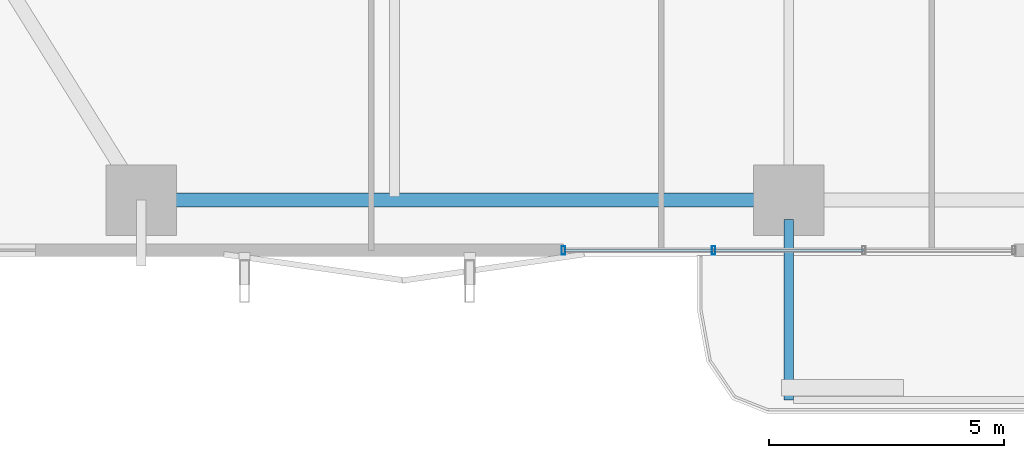
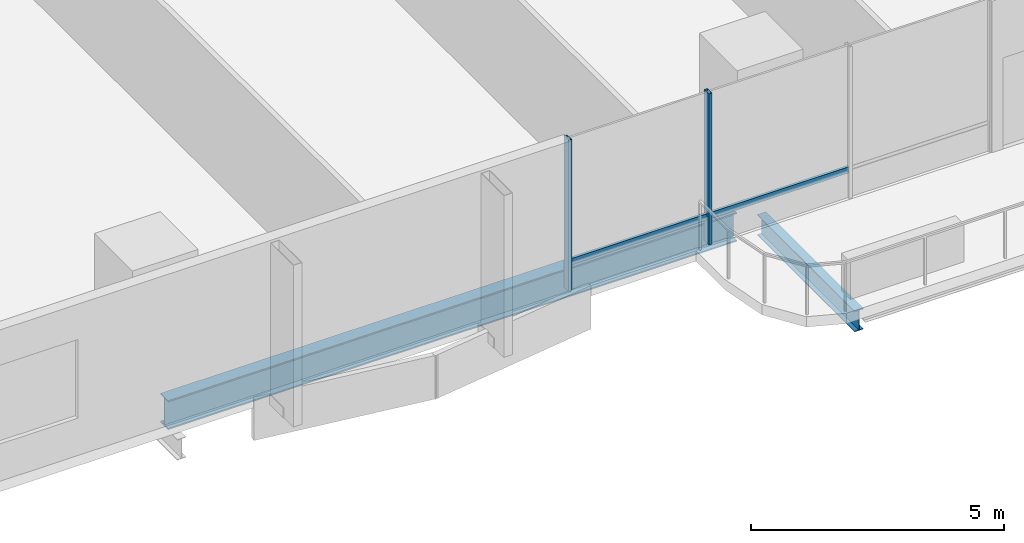
# One storey, part 2 of 24: 4 members, 2 beams, 1 element without a shape of its own.
"""IFC4 building model written with IfcOpenShell, lengths in metres."""

from ifc_helpers import new_model, si_unit, direction, frame, origin, origin_2d, place, context, subcontext, project, spatial, hollow_rectangle, i_section, extrude, material, layer, layer_set, material_profile, profile_set, type_object, element, aggregate, save


model = new_model("IFC4")

# Units and contexts
model_context = context("Model", 3, precision=1e-05, world=origin(), true_north=direction((0.0, 1.0)))
body_context = subcontext(model_context, "Body", "Model", "MODEL_VIEW")
ifc_project = project(units=[si_unit("LENGTHUNIT", "METRE"), si_unit("AREAUNIT", "SQUARE_METRE"), si_unit("VOLUMEUNIT", "CUBIC_METRE"), si_unit("PLANEANGLEUNIT", "RADIAN"), si_unit("MASSUNIT", "GRAM", prefix="KILO")], contexts=[model_context])

# Site, building, storey
site_placement = place(None, origin())
site = spatial("IfcSite", under=ifc_project, at=site_placement, CompositionType="ELEMENT")
building_placement = place(site_placement, origin())
building = spatial("IfcBuilding", under=site, at=building_placement, Name="Belovzor Exchange Tower", CompositionType="ELEMENT")
storey_placement = place(building_placement, frame((0.0, 0.0, 96.300048828125)))
storey = spatial("IfcBuildingStorey", under=building, at=storey_placement, Name="L23", CompositionType="ELEMENT", Elevation=96.300048828125)

# Beam
ifc_material_1 = material(Name="Steel S355", Category="steel")
ifc_material_profile_1 = material_profile(ifc_material_1, i_section(OverallWidth=0.199951171875, OverallDepth=0.5, WebThickness=0.01025390625, FlangeThickness=0.01611328125, at=origin_2d()))
ifc_profile_set_1 = profile_set([ifc_material_profile_1], Name="Steel S355")
beam_type_1 = type_object("IfcBeamType", Name="Planted Balcony Cantilever Beam IPE 500", PredefinedType="BEAM", material=ifc_profile_set_1)
beam_1_placement = place(storey_placement, frame((28.800048828125, 1.68798828125, -0.5), z_axis=(0.0, -1.0, 0.0), x_axis=(1.0, 0.0, 0.0)))
element("IfcBeam", 1, at=beam_1_placement, inside=storey, type_object=beam_type_1, Name="BC-500 Planted Balcony Cantilever Beam IPE 500", PredefinedType="BEAM", context=body_context, shape_type="SweptSolid", body=[
    extrude(i_section(OverallWidth=0.199951171875, OverallDepth=0.5, WebThickness=0.01025390625, FlangeThickness=0.01611328125, at=origin_2d()), origin(), (0.0, 0.0, 1.0), 3.85009765625),
])

# Curtain wall, members
ifc_material_2 = material(Name="Anodised Aluminium Framing", Category="aluminium")
ifc_layer = layer(ifc_material_2, 0.179931640625)
ifc_layer_set = layer_set([ifc_layer], Name="Anodised Aluminium Framing")
curtain_wall_type = type_object("IfcCurtainWallType", Name="Recessed Loggia Low-Iron Triple-Glazed Curtain Wall", PredefinedType="NOTDEFINED", material=ifc_layer_set)
curtain_wall_placement = place(storey_placement, origin())
curtain_wall = element("IfcCurtainWall", 2, at=curtain_wall_placement, inside=storey, type_object=curtain_wall_type, Name="CW3 Recessed Loggia Low-Iron Triple-Glazed Curtain Wall L23", PredefinedType="NOTDEFINED")
ifc_material_3 = material(Name="Steel S355", Category="steel")
ifc_material_profile_2 = material_profile(ifc_material_3, hollow_rectangle(XDim=0.074951171875, YDim=0.179931640625, WallThickness=0.0048828125, at=origin_2d()))
ifc_profile_set_2 = profile_set([ifc_material_profile_2], Name="Steel S355")
member_type_1 = type_object("IfcMemberType", Name="Thermally Broken Curtain Wall Mullion 180x75", PredefinedType="MULLION", material=ifc_profile_set_2)
member_1_placement = place(storey_placement, frame((27.199951171875, 1.030029296875, 0.0), z_axis=(0.0, 0.0, 1.0), x_axis=(-1.0, 0.0, 0.0)))
member_1 = element("IfcMember", 3, at=member_1_placement, type_object=member_type_1, Name="CW-M180 Curtain Wall Mullion 3", PredefinedType="MULLION", context=body_context, shape_type="SweptSolid", body=[
    extrude(hollow_rectangle(XDim=0.074951171875, YDim=0.179931640625, WallThickness=0.0048828125, at=origin_2d()), origin(), (0.0, 0.0, 1.0), 3.64990234375),
])
member_2_placement = place(storey_placement, frame((24.0, 1.030029296875, 0.0), z_axis=(0.0, 0.0, 1.0), x_axis=(-1.0, 0.0, 0.0)))
member_2 = element("IfcMember", 4, at=member_2_placement, type_object=member_type_1, Name="CW-M180 Curtain Wall Mullion 4", PredefinedType="MULLION", context=body_context, shape_type="SweptSolid", body=[
    extrude(hollow_rectangle(XDim=0.074951171875, YDim=0.179931640625, WallThickness=0.0048828125, at=origin_2d()), origin(), (0.0, 0.0, 1.0), 3.64990234375),
])
ifc_material_4 = material(Name="Steel S355", Category="steel")
ifc_material_profile_3 = material_profile(ifc_material_4, hollow_rectangle(XDim=0.06005859375, YDim=0.14990234375, WallThickness=0.00390625, at=origin_2d()))
ifc_profile_set_3 = profile_set([ifc_material_profile_3], Name="Steel S355")
member_type_2 = type_object("IfcMemberType", Name="Thermally Broken Curtain Wall Transom 150x60", PredefinedType="USERDEFINED", material=ifc_profile_set_3)
member_3_placement = place(storey_placement, frame((30.39208984375, 1.030029296875, 0.64990234375), z_axis=(-1.0, 0.0, 0.0), x_axis=(0.0, -1.0, 0.0)))
member_3 = element("IfcMember", 5, at=member_3_placement, type_object=member_type_2, Name="CW-T150 Curtain Wall Transom 2", ObjectType="TRANSOM", PredefinedType="USERDEFINED", context=body_context, shape_type="SweptSolid", body=[
    extrude(hollow_rectangle(XDim=0.06005859375, YDim=0.14990234375, WallThickness=0.00390625, at=origin_2d()), origin(), (0.0, 0.0, 1.0), 3.18408203125),
])
member_4_placement = place(storey_placement, frame((27.19189453125, 1.030029296875, 0.64990234375), z_axis=(-1.0, 0.0, 0.0), x_axis=(0.0, -1.0, 0.0)))
member_4 = element("IfcMember", 6, at=member_4_placement, type_object=member_type_2, Name="CW-T150 Curtain Wall Transom 3", ObjectType="TRANSOM", PredefinedType="USERDEFINED", context=body_context, shape_type="SweptSolid", body=[
    extrude(hollow_rectangle(XDim=0.06005859375, YDim=0.14990234375, WallThickness=0.00390625, at=origin_2d()), origin(), (0.0, 0.0, 1.0), 3.183837890625),
])
aggregate(curtain_wall, [member_1, member_2, member_3, member_4])

# Beam
ifc_material_5 = material(Name="Steel S355", Category="steel")
ifc_material_profile_4 = material_profile(ifc_material_5, i_section(OverallWidth=0.300048828125, OverallDepth=0.699951171875, WebThickness=0.01708984375, FlangeThickness=0.031982421875, at=origin_2d()))
ifc_profile_set_4 = profile_set([ifc_material_profile_4], Name="Steel S355")
beam_type_2 = type_object("IfcBeamType", Name="Zone 1 Primary Perimeter Girder HEB 700", PredefinedType="BEAM", material=ifc_profile_set_4)
beam_2_placement = place(storey_placement, frame((15.412109375, 2.10009765625, -0.60009765625), z_axis=(1.0, 0.0, 0.0), x_axis=(0.0, 1.0, 0.0)))
element("IfcBeam", 7, at=beam_2_placement, inside=storey, type_object=beam_type_2, Name="FG-Z1 Zone 1 Primary Perimeter Girder HEB 700", PredefinedType="BEAM", context=body_context, shape_type="SweptSolid", body=[
    extrude(i_section(OverallWidth=0.300048828125, OverallDepth=0.699951171875, WebThickness=0.01708984375, FlangeThickness=0.031982421875, at=origin_2d()), origin(), (0.0, 0.0, 1.0), 12.974853515625),
])

save(model, "model.ifc")
